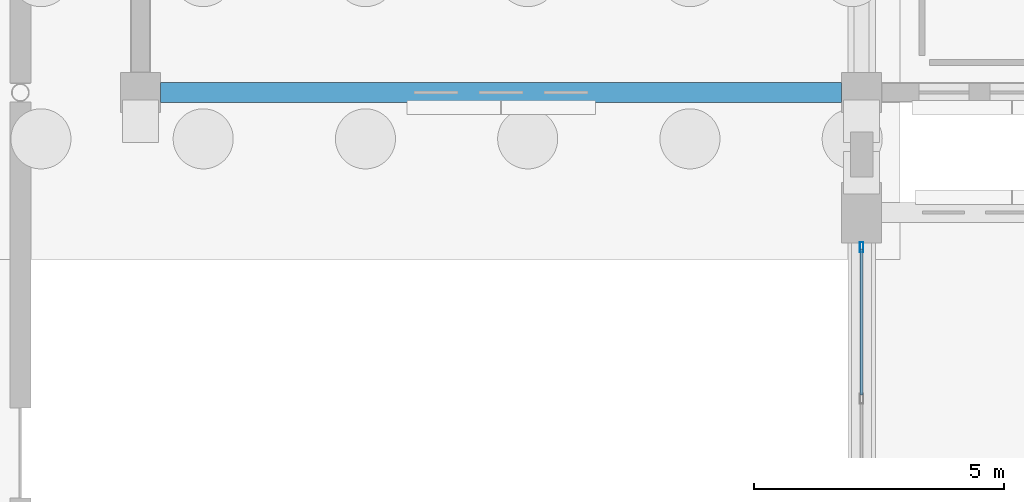
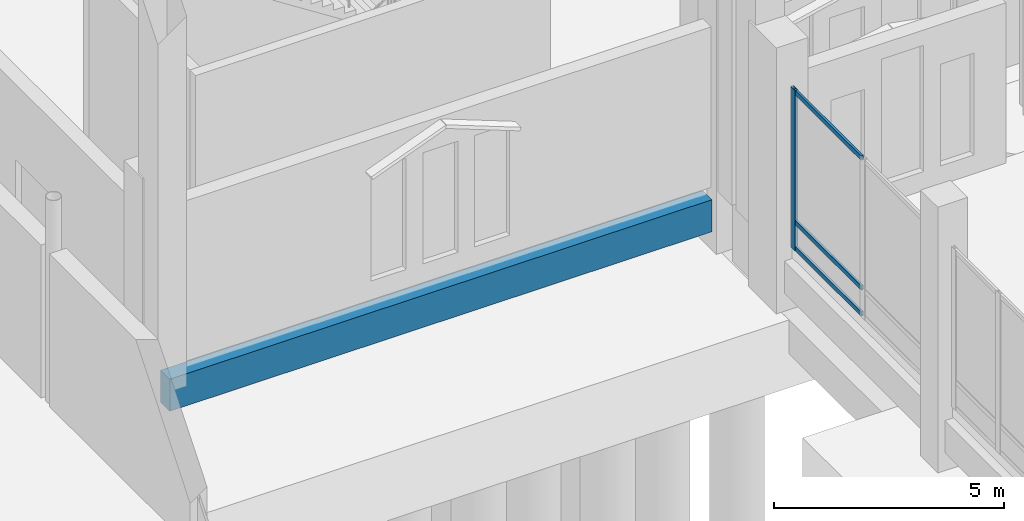
# One storey, part 109 of 192: 4 members, 1 beam, 1 element without a shape of its own.
"""IFC4 building model written with IfcOpenShell, lengths in metres."""

from ifc_helpers import new_model, si_unit, direction, frame, origin, origin_2d, place, context, subcontext, project, spatial, rectangle, hollow_rectangle, extrude, material, material_profile, profile_set, type_object, element, aggregate, save


model = new_model("IFC4")

# Units and contexts
model_context = context("Model", 3, precision=1e-05, world=origin(), true_north=direction((0.0, 1.0)))
body_context = subcontext(model_context, "Body", "Model", "MODEL_VIEW")
ifc_project = project(units=[si_unit("LENGTHUNIT", "METRE"), si_unit("AREAUNIT", "SQUARE_METRE"), si_unit("VOLUMEUNIT", "CUBIC_METRE"), si_unit("PLANEANGLEUNIT", "RADIAN"), si_unit("MASSUNIT", "GRAM", prefix="KILO")], contexts=[model_context])

# Site, building, storey
site_placement = place(None, origin())
site = spatial("IfcSite", under=ifc_project, at=site_placement, CompositionType="ELEMENT")
building_placement = place(site_placement, origin())
building = spatial("IfcBuilding", under=site, at=building_placement, Name="Cendralis Lancet Convention Centre", CompositionType="ELEMENT")
storey_placement = place(building_placement, origin())
storey = spatial("IfcBuildingStorey", under=building, at=storey_placement, Name="L00", CompositionType="ELEMENT", Elevation=0.0)

# Curtain wall, members
ifc_material_1 = material(Name="Anodised bronze architectural aluminium", Category="aluminium")
curtain_wall_type = type_object("IfcCurtainWallType", Name="ARC-CW-PL01", PredefinedType="USERDEFINED", material=ifc_material_1)
curtain_wall_placement = place(storey_placement, origin())
curtain_wall = element("IfcCurtainWall", 1, at=curtain_wall_placement, inside=storey, type_object=curtain_wall_type, Name="L00 Curtain Wall CW-PL1 #112", ObjectType="CURTAIN WALL", PredefinedType="USERDEFINED")
ifc_material_profile_1 = material_profile(ifc_material_1, hollow_rectangle(XDim=0.070068359375, YDim=0.199951171875, WallThickness=0.0048828125, at=origin_2d()), Name="AL-MULL 70x200x5.0")
ifc_profile_set_1 = profile_set([ifc_material_profile_1], Name="Anodised bronze architectural aluminium")
member_type_1 = type_object("IfcMemberType", Name="ARC-CW-ML02", PredefinedType="MULLION", material=ifc_profile_set_1)
member_1_placement = place(storey_placement, frame((139.199951171875, 90.514892578125, 0.0), z_axis=(0.0, 0.0, 1.0), x_axis=(1.0, 0.0, 0.0)))
member_1 = element("IfcMember", 2, at=member_1_placement, type_object=member_type_1, Name="Mullion CW2-CW-PL1-L00-112-M2", PredefinedType="MULLION", context=body_context, shape_type="SweptSolid", body=[
    extrude(hollow_rectangle(XDim=0.070068359375, YDim=0.199951171875, WallThickness=0.0048828125, at=origin_2d()), origin(), (0.0, 0.0, 1.0), 4.2548828125),
])
ifc_material_profile_2 = material_profile(ifc_material_1, hollow_rectangle(XDim=0.06005859375, YDim=0.1201171875, WallThickness=0.00390625, at=origin_2d()), Name="AL-TRAN 60x120x4.0")
ifc_profile_set_2 = profile_set([ifc_material_profile_2], Name="Anodised bronze architectural aluminium")
member_type_2 = type_object("IfcMemberType", Name="ARC-CW-TR01", PredefinedType="USERDEFINED", material=ifc_profile_set_2)
member_2_placement = place(storey_placement, frame((139.199951171875, 87.5576171875, 0.06005859375), z_axis=(0.0, 1.0, 0.0), x_axis=(-1.0, 0.0, 0.0)))
member_2 = element("IfcMember", 3, at=member_2_placement, type_object=member_type_2, Name="Transom CW2-CW-PL1-L00-112-T1BOT", ObjectType="TRANSOM", PredefinedType="USERDEFINED", context=body_context, shape_type="SweptSolid", body=[
    extrude(hollow_rectangle(XDim=0.06005859375, YDim=0.1201171875, WallThickness=0.00390625, at=origin_2d()), origin(), (0.0, 0.0, 1.0), 2.92236328125),
])
member_3_placement = place(storey_placement, frame((139.199951171875, 87.5576171875, 0.75), z_axis=(0.0, 1.0, 0.0), x_axis=(-1.0, 0.0, 0.0)))
member_3 = element("IfcMember", 4, at=member_3_placement, type_object=member_type_2, Name="Transom CW2-CW-PL1-L00-112-T1MID", ObjectType="TRANSOM", PredefinedType="USERDEFINED", context=body_context, shape_type="SweptSolid", body=[
    extrude(hollow_rectangle(XDim=0.06005859375, YDim=0.1201171875, WallThickness=0.00390625, at=origin_2d()), origin(), (0.0, 0.0, 1.0), 2.92236328125),
])
member_4_placement = place(storey_placement, frame((139.199951171875, 87.5576171875, 4.195068359375), z_axis=(0.0, 1.0, 0.0), x_axis=(-1.0, 0.0, 0.0)))
member_4 = element("IfcMember", 5, at=member_4_placement, type_object=member_type_2, Name="Transom CW2-CW-PL1-L00-112-T1TOP", ObjectType="TRANSOM", PredefinedType="USERDEFINED", context=body_context, shape_type="SweptSolid", body=[
    extrude(hollow_rectangle(XDim=0.06005859375, YDim=0.1201171875, WallThickness=0.00390625, at=origin_2d()), origin(), (0.0, 0.0, 1.0), 2.92236328125),
])
aggregate(curtain_wall, [member_1, member_2, member_3, member_4])

# Beam
ifc_material_2 = material(Name="Concrete G40 (C40/50)", Category="concrete")
ifc_material_profile_3 = material_profile(ifc_material_2, rectangle(XDim=0.39990234375, YDim=0.85009765625, at=origin_2d()), Name="RCB 400x850")
ifc_profile_set_3 = profile_set([ifc_material_profile_3], Name="Concrete G40 (C40/50)")
beam_type = type_object("IfcBeamType", Name="STR-SP-SP02", PredefinedType="SPANDREL", material=ifc_profile_set_3)
beam_placement = place(storey_placement, frame((125.199951171875, 93.60009765625, -0.7451171875), z_axis=(1.0, 0.0, 0.0), x_axis=(0.0, 1.0, 0.0)))
element("IfcBeam", 6, at=beam_placement, inside=storey, type_object=beam_type, Name="L00 Beam SP02 #1581", PredefinedType="SPANDREL", context=body_context, shape_type="SweptSolid", body=[
    extrude(rectangle(XDim=0.39990234375, YDim=0.85009765625, at=origin_2d()), origin(), (0.0, 0.0, 1.0), 13.60009765625),
])

save(model, "model.ifc")
